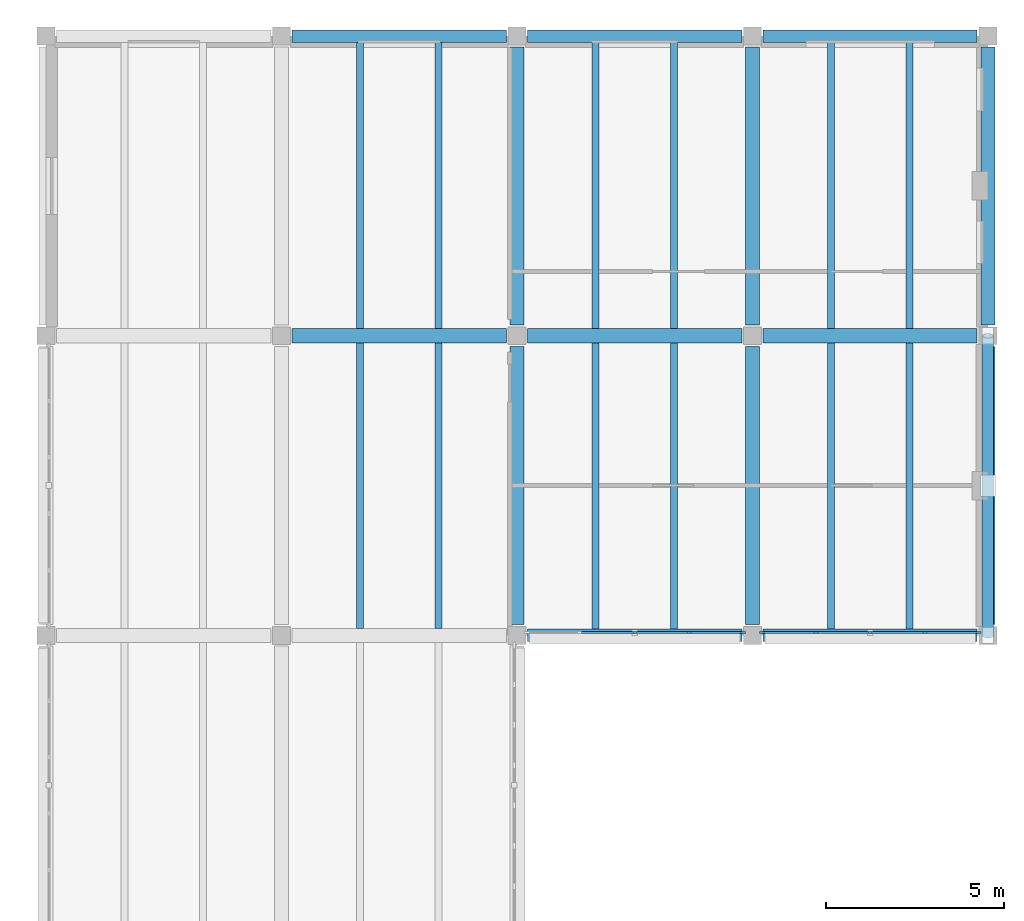
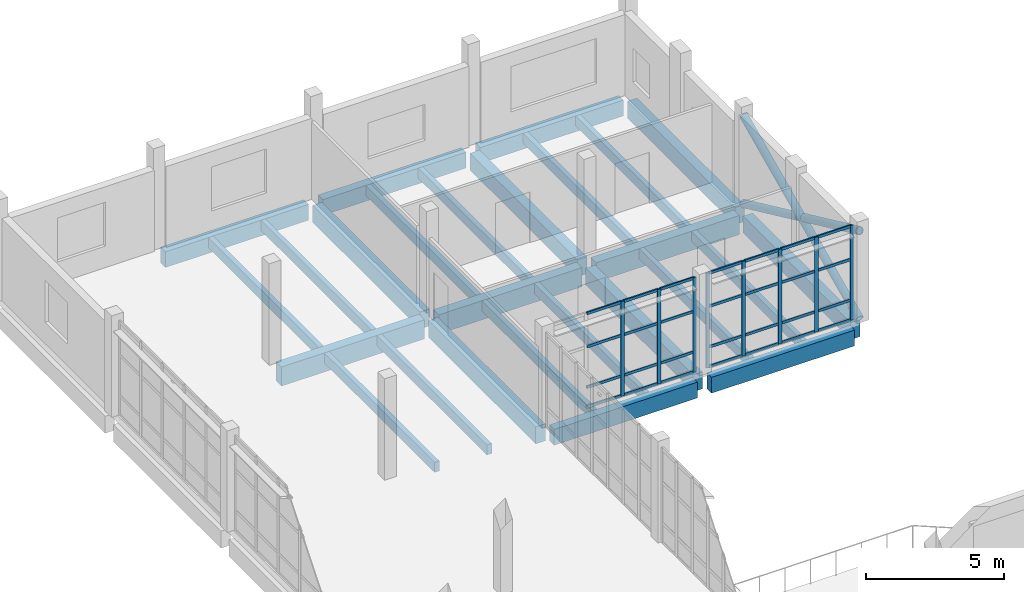
# One storey, part 34 of 83: 39 members, 26 beams, 2 elements without a shape of their own.
"""IFC4 building model written with IfcOpenShell, lengths in metres."""

import ifcopenshell
import ifcopenshell.guid

model = None  # the IFC model being written
_history = None  # IfcOwnerHistory: only IFC2X3 demands one
_inside = {}  # id of a spatial element -> (the spatial element, [elements in it])
_under = {}  # id of a project, library or spatial element -> (it, [spatial elements below it])
_declared = {}  # id of a project -> (the project, [libraries it declares])
_typed = {}  # id of a type object -> (the type object, [elements of that type])
_made_of = {}  # id of a material, layer set ... -> (it, [elements and type objects made of it])


def new_model(schema):
    """Start an empty IFC model of exactly this schema.

    Asked for "IFC4X3", IfcOpenShell would pick the latest addendum, in which some entities
    have other attributes; the version numbers below select the first issue.
    IFC2X3 requires an IfcOwnerHistory on every rooted entity: one is made here for all.
    """
    global model, _history
    if schema == "IFC4X3":
        model = ifcopenshell.file(schema_version=(4, 3, 0, 0))
    else:
        model = ifcopenshell.file(schema=schema)
    _inside.clear()
    _under.clear()
    _declared.clear()
    _typed.clear()
    _made_of.clear()
    _history = None
    if model.schema == "IFC2X3":
        org = make("IfcOrganization", Name="unknown")
        user = make(
            "IfcPersonAndOrganization",
            ThePerson=make("IfcPerson", FamilyName="unknown"),
            TheOrganization=org,
        )
        app = make(
            "IfcApplication",
            ApplicationDeveloper=org,
            Version="unknown",
            ApplicationFullName="unknown",
            ApplicationIdentifier="unknown",
        )
        _history = make(
            "IfcOwnerHistory",
            OwningUser=user,
            OwningApplication=app,
            ChangeAction="ADDED",
            CreationDate=0,
        )
    return model


def make(cls, **values):
    """One entity of the class cls with the attributes given. An attribute that is None is left unset."""
    return model.create_entity(
        cls, **{name: value for name, value in values.items() if value is not None}
    )


def rooted(cls, **values):
    """An entity with a GlobalId (a new one), such as an element, a storey or a relation."""
    return make(cls, GlobalId=ifcopenshell.guid.new(), OwnerHistory=_history, **values)


def si_unit(unit_type, name, prefix=None):
    """IfcSIUnit, for example si_unit("LENGTHUNIT", "METRE", prefix="MILLI")."""
    return make("IfcSIUnit", UnitType=unit_type, Prefix=prefix, Name=name)


def assignment(units):
    """IfcUnitAssignment: the units of a project."""
    return None if units is None else make("IfcUnitAssignment", Units=units)


def point(xyz):
    """IfcCartesianPoint."""
    return None if xyz is None else make("IfcCartesianPoint", Coordinates=xyz)


def direction(xyz):
    """IfcDirection."""
    return None if xyz is None else make("IfcDirection", DirectionRatios=xyz)


def frame(location, z_axis=None, x_axis=None):
    """IfcAxis2Placement3D, a coordinate frame: its origin and axes. An axis left out is left unset."""
    return make(
        "IfcAxis2Placement3D",
        Location=point(location),
        Axis=direction(z_axis),
        RefDirection=direction(x_axis),
    )


def frame_2d(location, x_axis=None):
    """IfcAxis2Placement2D, a coordinate frame in the plane: its origin and x axis."""
    return make(
        "IfcAxis2Placement2D", Location=point(location), RefDirection=direction(x_axis)
    )


def origin():
    """The frame at (0, 0, 0) with its axes left unset."""
    return frame((0.0, 0.0, 0.0))


def origin_2d():
    """The frame at (0, 0) in the plane with its x axis left unset."""
    return frame_2d((0.0, 0.0))


def place(relative_to, where):
    """IfcLocalPlacement: puts the frame where relative to a parent placement (None: the world)."""
    return make(
        "IfcLocalPlacement", PlacementRelTo=relative_to, RelativePlacement=where
    )


def context(
    kind, dimensions, precision=None, world=None, true_north=None, identifier=None
):
    """IfcGeometricRepresentationContext, for example the 3D "Model" context."""
    return make(
        "IfcGeometricRepresentationContext",
        ContextIdentifier=identifier,
        ContextType=kind,
        CoordinateSpaceDimension=dimensions,
        Precision=precision,
        WorldCoordinateSystem=world,
        TrueNorth=true_north,
    )


def subcontext(parent, identifier, kind, view, scale=None):
    """IfcGeometricRepresentationSubContext, for example "Body" below "Model"."""
    return make(
        "IfcGeometricRepresentationSubContext",
        ContextIdentifier=identifier,
        ContextType=kind,
        ParentContext=parent,
        TargetScale=scale,
        TargetView=view,
    )


def project(units=None, contexts=None):
    """IfcProject with its units and contexts."""
    return rooted(
        "IfcProject",
        Name="project",
        RepresentationContexts=contexts,
        UnitsInContext=assignment(units),
    )


def spatial(cls, under=None, at=None, **own):
    """A site, building, storey or space (cls), placed at a placement, below another one or the project."""
    s = rooted(cls, ObjectPlacement=at, **own)
    if under is not None:
        _under.setdefault(under.id(), (under, []))[1].append(s)
    return s


def profile(cls, at=None, kind="AREA", **sizes):
    """A parametric profile (cls). Its sizes go by their IFC names, for example OverallWidth=200.0."""
    return make(cls, ProfileType=kind, Position=at, **sizes)


def rectangle(**sizes):
    """IfcRectangleProfileDef."""
    return profile("IfcRectangleProfileDef", **sizes)


def hollow_circle(**sizes):
    """IfcCircleHollowProfileDef."""
    return profile("IfcCircleHollowProfileDef", **sizes)


def extrude(swept, where, along, depth):
    """IfcExtrudedAreaSolid: the profile swept, set in the frame where, extruded along a direction by depth."""
    return make(
        "IfcExtrudedAreaSolid",
        SweptArea=swept,
        Position=where,
        ExtrudedDirection=direction(along),
        Depth=depth,
    )


def shape(context_of_items, identifier, shape_type, items):
    """IfcShapeRepresentation: the items that make up one representation, for example the "Body"."""
    return make(
        "IfcShapeRepresentation",
        ContextOfItems=context_of_items,
        RepresentationIdentifier=identifier,
        RepresentationType=shape_type,
        Items=items,
    )


def material(Name=None, Category=None):
    """IfcMaterial."""
    return make("IfcMaterial", Name=Name, Category=Category)


def material_profile(
    of_material, cross_section, Name=None, Category=None, Priority=None
):
    """IfcMaterialProfile: a cross section and its material."""
    return make(
        "IfcMaterialProfile",
        Name=Name,
        Material=of_material,
        Profile=cross_section,
        Priority=Priority,
        Category=Category,
    )


def profile_set(profiles, Name=None, composite=None):
    """IfcMaterialProfileSet."""
    return make(
        "IfcMaterialProfileSet",
        Name=Name,
        MaterialProfiles=profiles,
        CompositeProfile=composite,
    )


def made_of(thing, what):
    """Note that an element or type object is made of a material, layer set ...; save() writes the relation."""
    if what is not None:
        _made_of.setdefault(what.id(), (what, []))[1].append(thing)
    return thing


def type_object(cls, material=None, **own):
    """A type object (cls), such as IfcWallType, which elements share."""
    return made_of(rooted(cls, **own), material)


def element(
    cls,
    number,
    at=None,
    inside=None,
    cuts=None,
    type_object=None,
    material=None,
    context=None,
    identifier="Body",
    shape_type=None,
    held_by="IfcProductDefinitionShape",
    body=None,
    shapes=None,
    **own,
):
    """One element of the class cls, such as IfcWall. Its Tag is "e" and its number.

    at: its placement. inside: the storey or other place that contains it. cuts: it is an
    opening in that element (IfcRelVoidsElement). A single representation is given by context,
    identifier, shape_type and body (its items); several are given by shapes. held_by: the class
    of the entity that holds the representations. save() writes the other relations.
    """
    e = rooted(cls, Tag="e%d" % number, ObjectPlacement=at, **own)
    if body is not None:
        shapes = [shape(context, identifier, shape_type, body)]
    if shapes is not None:
        e.Representation = make(held_by, Representations=shapes)
    if inside is not None:
        _inside.setdefault(inside.id(), (inside, []))[1].append(e)
    if cuts is not None:
        rooted(
            "IfcRelVoidsElement", RelatingBuildingElement=cuts, RelatedOpeningElement=e
        )
    if type_object is not None:
        _typed.setdefault(type_object.id(), (type_object, []))[1].append(e)
    return made_of(e, material)


def aggregate(whole, parts):
    """IfcRelAggregates: a whole, such as a stair, and the parts it consists of."""
    return rooted("IfcRelAggregates", RelatingObject=whole, RelatedObjects=parts)


def save(model, path):
    """Write the relations noted so far, then the file.

    IfcRelAggregates (storeys below a building ...), IfcRelContainedInSpatialStructure (elements
    in a storey), IfcRelDefinesByType, IfcRelAssociatesMaterial and IfcRelDeclares: one each for
    every whole, place, type object, material and project.
    """
    for whole, parts in _under.values():
        aggregate(whole, parts)
    for where, things in _inside.values():
        rooted(
            "IfcRelContainedInSpatialStructure",
            RelatedElements=things,
            RelatingStructure=where,
        )
    for kind, things in _typed.values():
        rooted("IfcRelDefinesByType", RelatedObjects=things, RelatingType=kind)
    for what, things in _made_of.values():
        rooted("IfcRelAssociatesMaterial", RelatedObjects=things, RelatingMaterial=what)
    for by, libraries in _declared.values():
        rooted("IfcRelDeclares", RelatingContext=by, RelatedDefinitions=libraries)
    model.write(path)


model = new_model("IFC4")

# Units and contexts
model_context = context("Model", 3, precision=1e-05, world=origin(), true_north=direction((0.0, 1.0)))
body_context = subcontext(model_context, "Body", "Model", "MODEL_VIEW")
ifc_project = project(units=[si_unit("LENGTHUNIT", "METRE"), si_unit("AREAUNIT", "SQUARE_METRE"), si_unit("VOLUMEUNIT", "CUBIC_METRE"), si_unit("PLANEANGLEUNIT", "RADIAN"), si_unit("MASSUNIT", "GRAM", prefix="KILO")], contexts=[model_context])

# Site, building, storey
site_placement = place(None, origin())
site = spatial("IfcSite", under=ifc_project, at=site_placement, CompositionType="ELEMENT")
building_placement = place(site_placement, origin())
building = spatial("IfcBuilding", under=site, at=building_placement, Name="Qaldarim Faculty of Natural and Applied Sciences", CompositionType="ELEMENT")
storey_placement = place(building_placement, frame((0.0, 0.0, 5.39990234375)))
storey = spatial("IfcBuildingStorey", under=building, at=storey_placement, Name="L01", CompositionType="ELEMENT", Elevation=5.39990234375)

# Beams
ifc_material_1 = material(Name="Concrete C50/60", Category="concrete")
ifc_material_profile_1 = material_profile(ifc_material_1, rectangle(XDim=0.39990234375, YDim=0.75, at=origin_2d()), Name="RC-B400x750")
ifc_profile_set_1 = profile_set([ifc_material_profile_1], Name="Concrete C50/60")
beam_type_1 = type_object("IfcBeamType", Name="LabGirder-RC400x750", PredefinedType="BEAM", material=ifc_profile_set_1)
beam_1_placement = place(storey_placement, frame((165.0, 101.10009765625, -0.6748046875), z_axis=(0.0, 1.0, 0.0), x_axis=(-1.0, 0.0, 0.0)))
element("IfcBeam", 1, at=beam_1_placement, inside=storey, type_object=beam_type_1, Name="Beam RC-B400x750 L00 X26/Y13-Y14", PredefinedType="BEAM", context=body_context, shape_type="SweptSolid", body=[
    extrude(rectangle(XDim=0.39990234375, YDim=0.75, at=origin_2d()), origin(), (0.0, 0.0, 1.0), 7.7998046875),
])
beam_2_placement = place(storey_placement, frame((165.0, 109.5, -0.6748046875), z_axis=(0.0, 1.0, 0.0), x_axis=(-1.0, 0.0, 0.0)))
element("IfcBeam", 2, at=beam_2_placement, inside=storey, type_object=beam_type_1, Name="Beam RC-B400x750 L00 X26/Y14-Y15", PredefinedType="BEAM", context=body_context, shape_type="SweptSolid", body=[
    extrude(rectangle(XDim=0.39990234375, YDim=0.75, at=origin_2d()), origin(), (0.0, 0.0, 1.0), 7.800048828125),
])
beam_3_placement = place(storey_placement, frame((171.60009765625, 101.10009765625, -0.6748046875), z_axis=(0.0, 1.0, 0.0), x_axis=(-1.0, 0.0, 0.0)))
element("IfcBeam", 3, at=beam_3_placement, inside=storey, type_object=beam_type_1, Name="Beam RC-B400x750 L00 X27/Y13-Y14", PredefinedType="BEAM", context=body_context, shape_type="SweptSolid", body=[
    extrude(rectangle(XDim=0.39990234375, YDim=0.75, at=origin_2d()), origin(), (0.0, 0.0, 1.0), 7.7998046875),
])
beam_4_placement = place(storey_placement, frame((171.60009765625, 109.5, -0.6748046875), z_axis=(0.0, 1.0, 0.0), x_axis=(-1.0, 0.0, 0.0)))
element("IfcBeam", 4, at=beam_4_placement, inside=storey, type_object=beam_type_1, Name="Beam RC-B400x750 L00 X27/Y14-Y15", PredefinedType="BEAM", context=body_context, shape_type="SweptSolid", body=[
    extrude(rectangle(XDim=0.39990234375, YDim=0.75, at=origin_2d()), origin(), (0.0, 0.0, 1.0), 7.800048828125),
])
beam_5_placement = place(storey_placement, frame((178.199951171875, 101.10009765625, -0.6748046875), z_axis=(0.0, 1.0, 0.0), x_axis=(-1.0, 0.0, 0.0)))
element("IfcBeam", 5, at=beam_5_placement, inside=storey, type_object=beam_type_1, Name="Beam RC-B400x750 L00 X28/Y13-Y14", PredefinedType="BEAM", context=body_context, shape_type="SweptSolid", body=[
    extrude(rectangle(XDim=0.39990234375, YDim=0.75, at=origin_2d()), origin(), (0.0, 0.0, 1.0), 7.7998046875),
])
beam_6_placement = place(storey_placement, frame((178.199951171875, 109.5, -0.6748046875), z_axis=(0.0, 1.0, 0.0), x_axis=(-1.0, 0.0, 0.0)))
element("IfcBeam", 6, at=beam_6_placement, inside=storey, type_object=beam_type_1, Name="Beam RC-B400x750 L00 X28/Y14-Y15", PredefinedType="BEAM", context=body_context, shape_type="SweptSolid", body=[
    extrude(rectangle(XDim=0.39990234375, YDim=0.75, at=origin_2d()), origin(), (0.0, 0.0, 1.0), 7.800048828125),
])
ifc_material_2 = material(Name="Concrete C40/50", Category="concrete")
ifc_material_profile_2 = material_profile(ifc_material_2, rectangle(XDim=0.199951171875, YDim=0.449951171875, at=origin_2d()), Name="RC-J200x450")
ifc_profile_set_2 = profile_set([ifc_material_profile_2], Name="Concrete C40/50")
beam_type_2 = type_object("IfcBeamType", Name="LabJoist-RC200x450", PredefinedType="JOIST", material=ifc_profile_set_2)
for number, where, z_axis, x_axis, name in (
    (7, (160.60009765625, 101.0, -0.52490234375), (0.0, 1.0, 0.0), (-1.0, 0.0, 0.0), "Laboratory joist L00 bay X25Y13-1"),
    (8, (162.800048828125, 101.0, -0.52490234375), (0.0, 1.0, 0.0), (-1.0, 0.0, 0.0), "Laboratory joist L00 bay X25Y13-2"),
):
    element("IfcBeam", number, at=place(storey_placement, frame(where, z_axis=z_axis, x_axis=x_axis)), inside=storey, type_object=beam_type_2, Name=name, PredefinedType="JOIST", context=body_context, shape_type="SweptSolid", body=[
        extrude(rectangle(XDim=0.199951171875, YDim=0.449951171875, at=origin_2d()), origin(), (0.0, 0.0, 1.0), 8.0),
    ])
for number, where, z_axis, x_axis, name in (
    (9, (160.60009765625, 109.39990234375, -0.52490234375), (0.0, 1.0, 0.0), (-1.0, 0.0, 0.0), "Laboratory joist L00 bay X25Y14-1"),
    (10, (162.800048828125, 109.39990234375, -0.52490234375), (0.0, 1.0, 0.0), (-1.0, 0.0, 0.0), "Laboratory joist L00 bay X25Y14-2"),
):
    element("IfcBeam", number, at=place(storey_placement, frame(where, z_axis=z_axis, x_axis=x_axis)), inside=storey, type_object=beam_type_2, Name=name, PredefinedType="JOIST", context=body_context, shape_type="SweptSolid", body=[
        extrude(rectangle(XDim=0.199951171875, YDim=0.449951171875, at=origin_2d()), origin(), (0.0, 0.0, 1.0), 8.025146484375),
    ])
for number, where, z_axis, x_axis, name in (
    (11, (167.199951171875, 100.97509765625, -0.52490234375), (0.0, 1.0, 0.0), (-1.0, 0.0, 0.0), "Laboratory joist L00 bay X26Y13-1"),
    (12, (169.39990234375, 100.97509765625, -0.52490234375), (0.0, 1.0, 0.0), (-1.0, 0.0, 0.0), "Laboratory joist L00 bay X26Y13-2"),
):
    element("IfcBeam", number, at=place(storey_placement, frame(where, z_axis=z_axis, x_axis=x_axis)), inside=storey, type_object=beam_type_2, Name=name, PredefinedType="JOIST", context=body_context, shape_type="SweptSolid", body=[
        extrude(rectangle(XDim=0.199951171875, YDim=0.449951171875, at=origin_2d()), origin(), (0.0, 0.0, 1.0), 8.02490234375),
    ])
for number, where, z_axis, x_axis, name in (
    (13, (167.199951171875, 109.39990234375, -0.52490234375), (0.0, 1.0, 0.0), (-1.0, 0.0, 0.0), "Laboratory joist L00 bay X26Y14-1"),
    (14, (169.39990234375, 109.39990234375, -0.52490234375), (0.0, 1.0, 0.0), (-1.0, 0.0, 0.0), "Laboratory joist L00 bay X26Y14-2"),
):
    element("IfcBeam", number, at=place(storey_placement, frame(where, z_axis=z_axis, x_axis=x_axis)), inside=storey, type_object=beam_type_2, Name=name, PredefinedType="JOIST", context=body_context, shape_type="SweptSolid", body=[
        extrude(rectangle(XDim=0.199951171875, YDim=0.449951171875, at=origin_2d()), origin(), (0.0, 0.0, 1.0), 8.025146484375),
    ])
for number, where, z_axis, x_axis, name in (
    (15, (173.800048828125, 100.97509765625, -0.52490234375), (0.0, 1.0, 0.0), (-1.0, 0.0, 0.0), "Laboratory joist L00 bay X27Y13-1"),
    (16, (176.0, 100.97509765625, -0.52490234375), (0.0, 1.0, 0.0), (-1.0, 0.0, 0.0), "Laboratory joist L00 bay X27Y13-2"),
):
    element("IfcBeam", number, at=place(storey_placement, frame(where, z_axis=z_axis, x_axis=x_axis)), inside=storey, type_object=beam_type_2, Name=name, PredefinedType="JOIST", context=body_context, shape_type="SweptSolid", body=[
        extrude(rectangle(XDim=0.199951171875, YDim=0.449951171875, at=origin_2d()), origin(), (0.0, 0.0, 1.0), 8.02490234375),
    ])
for number, where, z_axis, x_axis, name in (
    (17, (173.800048828125, 109.39990234375, -0.52490234375), (0.0, 1.0, 0.0), (-1.0, 0.0, 0.0), "Laboratory joist L00 bay X27Y14-1"),
    (18, (176.0, 109.39990234375, -0.52490234375), (0.0, 1.0, 0.0), (-1.0, 0.0, 0.0), "Laboratory joist L00 bay X27Y14-2"),
):
    element("IfcBeam", number, at=place(storey_placement, frame(where, z_axis=z_axis, x_axis=x_axis)), inside=storey, type_object=beam_type_2, Name=name, PredefinedType="JOIST", context=body_context, shape_type="SweptSolid", body=[
        extrude(rectangle(XDim=0.199951171875, YDim=0.449951171875, at=origin_2d()), origin(), (0.0, 0.0, 1.0), 8.025146484375),
    ])

# Members
ifc_material_3 = material(Name="Structural steel S355", Category="steel")
ifc_material_profile_3 = material_profile(ifc_material_3, hollow_circle(Radius=0.161865234375, WallThickness=0.02001953125, at=origin_2d()), Name="CHS 323.9x20.0")
ifc_profile_set_3 = profile_set([ifc_material_profile_3], Name="Structural steel S355")
member_type_1 = type_object("IfcMemberType", Name="LowerWingBrace-CHS323-9x20", PredefinedType="BRACE", material=ifc_profile_set_3)
member_1_placement = place(storey_placement, frame((178.199951171875, 100.800048828125, 0.0), z_axis=(0.0, 0.907001056309, 0.42112834606), x_axis=(-1.0, 0.0, 0.0)))
element("IfcMember", 19, at=member_1_placement, inside=storey, type_object=member_type_1, Name="Commons east diagrid L01 primary brace L", PredefinedType="BRACE", context=body_context, shape_type="SweptSolid", body=[
    extrude(hollow_circle(Radius=0.161865234375, WallThickness=0.02001953125, at=origin_2d()), origin(), (0.0, 0.0, 1.0), 9.26123046875),
])
for number, where, z_axis, x_axis, name in (
    (20, (178.199951171875, 109.199951171875, 0.0), (0.0, -0.907196197698, 0.420707807014), (1.0, 0.0, 0.0), "Commons east diagrid L01 split secondary lower brace R1"),
    (21, (178.199951171875, 104.800048828125, 2.045166015625), (0.0, -0.907196197698, 0.420707807014), (1.0, 0.0, 0.0), "Commons east diagrid L01 split secondary upper brace R2"),
):
    element("IfcMember", number, at=place(storey_placement, frame(where, z_axis=z_axis, x_axis=x_axis)), inside=storey, type_object=member_type_1, Name=name, PredefinedType="BRACE", context=body_context, shape_type="SweptSolid", body=[
        extrude(hollow_circle(Radius=0.161865234375, WallThickness=0.02001953125, at=origin_2d()), origin(), (0.0, 0.0, 1.0), 4.4091796875),
    ])

# Curtain wall, members
ifc_material_4 = material(Name="Anodised aluminium AW-6063", Category="aluminium")
curtain_wall_type = type_object("IfcCurtainWallType", Name="CurtainWallSystem-M1600", PredefinedType="USERDEFINED", material=ifc_material_4)
curtain_wall_1_placement = place(storey_placement, origin())
curtain_wall_1 = element("IfcCurtainWall", 22, at=curtain_wall_1_placement, inside=storey, type_object=curtain_wall_type, Name="Curtain wall CW-L01-S-X26Y13", ObjectType="UNITISED FACADE", PredefinedType="USERDEFINED")
ifc_material_profile_4 = material_profile(ifc_material_4, rectangle(XDim=0.06005859375, YDim=0.14990234375, at=origin_2d()), Name="ALU-M60x150")
ifc_profile_set_4 = profile_set([ifc_material_profile_4], Name="Anodised aluminium AW-6063")
member_type_2 = type_object("IfcMemberType", Name="Mullion-ALU60x150", PredefinedType="MULLION", material=ifc_profile_set_4)
member_2_placement = place(storey_placement, frame((168.300048828125, 100.8798828125, 0.0), z_axis=(0.0, 0.0, 1.0), x_axis=(0.0, 1.0, 0.0)))
member_2 = element("IfcMember", 23, at=member_2_placement, type_object=member_type_2, Name="Mullion 3 of CW-L01-S-X26Y13", PredefinedType="MULLION", context=body_context, shape_type="SweptSolid", body=[
    extrude(rectangle(XDim=0.06005859375, YDim=0.14990234375, at=origin_2d()), origin(), (0.0, 0.0, 1.0), 4.2001953125),
])
member_3_placement = place(storey_placement, frame((169.827392578125, 100.8798828125, 0.0), z_axis=(0.0, 0.0, 1.0), x_axis=(0.0, 1.0, 0.0)))
member_3 = element("IfcMember", 24, at=member_3_placement, type_object=member_type_2, Name="Mullion 4 of CW-L01-S-X26Y13", PredefinedType="MULLION", context=body_context, shape_type="SweptSolid", body=[
    extrude(rectangle(XDim=0.06005859375, YDim=0.14990234375, at=origin_2d()), origin(), (0.0, 0.0, 1.0), 4.2001953125),
])
member_4_placement = place(storey_placement, frame((171.324951171875, 100.8798828125, 0.0), z_axis=(0.0, 0.0, 1.0), x_axis=(0.0, 1.0, 0.0)))
member_4 = element("IfcMember", 25, at=member_4_placement, type_object=member_type_2, Name="Mullion 5 of CW-L01-S-X26Y13", PredefinedType="MULLION", context=body_context, shape_type="SweptSolid", body=[
    extrude(rectangle(XDim=0.06005859375, YDim=0.14990234375, at=origin_2d()), origin(), (0.0, 0.0, 1.0), 4.2001953125),
])

curtain_wall_2_placement = place(storey_placement, origin())
curtain_wall_2 = element("IfcCurtainWall", 26, at=curtain_wall_2_placement, inside=storey, type_object=curtain_wall_type, Name="Curtain wall CW-L01-S-X27Y13", ObjectType="UNITISED FACADE", PredefinedType="USERDEFINED")
member_5_placement = place(storey_placement, frame((171.875, 100.8798828125, 0.0), z_axis=(0.0, 0.0, 1.0), x_axis=(0.0, 1.0, 0.0)))
member_5 = element("IfcMember", 27, at=member_5_placement, type_object=member_type_2, Name="Mullion 1 of CW-L01-S-X27Y13", PredefinedType="MULLION", context=body_context, shape_type="SweptSolid", body=[
    extrude(rectangle(XDim=0.06005859375, YDim=0.14990234375, at=origin_2d()), origin(), (0.0, 0.0, 1.0), 4.2001953125),
])
member_6_placement = place(storey_placement, frame((173.37255859375, 100.8798828125, 0.0), z_axis=(0.0, 0.0, 1.0), x_axis=(0.0, 1.0, 0.0)))
member_6 = element("IfcMember", 28, at=member_6_placement, type_object=member_type_2, Name="Mullion 2 of CW-L01-S-X27Y13", PredefinedType="MULLION", context=body_context, shape_type="SweptSolid", body=[
    extrude(rectangle(XDim=0.06005859375, YDim=0.14990234375, at=origin_2d()), origin(), (0.0, 0.0, 1.0), 4.2001953125),
])
member_7_placement = place(storey_placement, frame((174.89990234375, 100.8798828125, 0.0), z_axis=(0.0, 0.0, 1.0), x_axis=(0.0, 1.0, 0.0)))
member_7 = element("IfcMember", 29, at=member_7_placement, type_object=member_type_2, Name="Mullion 3 of CW-L01-S-X27Y13", PredefinedType="MULLION", context=body_context, shape_type="SweptSolid", body=[
    extrude(rectangle(XDim=0.06005859375, YDim=0.14990234375, at=origin_2d()), origin(), (0.0, 0.0, 1.0), 4.2001953125),
])
member_8_placement = place(storey_placement, frame((176.427490234375, 100.8798828125, 0.0), z_axis=(0.0, 0.0, 1.0), x_axis=(0.0, 1.0, 0.0)))
member_8 = element("IfcMember", 30, at=member_8_placement, type_object=member_type_2, Name="Mullion 4 of CW-L01-S-X27Y13", PredefinedType="MULLION", context=body_context, shape_type="SweptSolid", body=[
    extrude(rectangle(XDim=0.06005859375, YDim=0.14990234375, at=origin_2d()), origin(), (0.0, 0.0, 1.0), 4.2001953125),
])
member_9_placement = place(storey_placement, frame((177.925048828125, 100.8798828125, 0.0), z_axis=(0.0, 0.0, 1.0), x_axis=(0.0, 1.0, 0.0)))
member_9 = element("IfcMember", 31, at=member_9_placement, type_object=member_type_2, Name="Mullion 5 of CW-L01-S-X27Y13", PredefinedType="MULLION", context=body_context, shape_type="SweptSolid", body=[
    extrude(rectangle(XDim=0.06005859375, YDim=0.14990234375, at=origin_2d()), origin(), (0.0, 0.0, 1.0), 4.2001953125),
])

# Beams
ifc_material_profile_5 = material_profile(ifc_material_1, rectangle(XDim=0.39990234375, YDim=0.85009765625, at=origin_2d()), Name="RC-B400x850")
ifc_profile_set_5 = profile_set([ifc_material_profile_5], Name="Concrete C50/60")
beam_type_3 = type_object("IfcBeamType", Name="PodiumGirder-RC400x850", PredefinedType="BEAM", material=ifc_profile_set_5)
for number, where, z_axis, x_axis, name in (
    (32, (158.699951171875, 109.199951171875, -0.724853515625), (1.0, 0.0, 0.0), (0.0, 1.0, 0.0), "Beam RC-B400x850 L00 X25-X26/Y14"),
    (33, (165.300048828125, 109.199951171875, -0.724853515625), (1.0, 0.0, 0.0), (0.0, 1.0, 0.0), "Beam RC-B400x850 L00 X26-X27/Y14"),
    (34, (171.89990234375, 109.199951171875, -0.724853515625), (1.0, 0.0, 0.0), (0.0, 1.0, 0.0), "Beam RC-B400x850 L00 X27-X28/Y14"),
):
    element("IfcBeam", number, at=place(storey_placement, frame(where, z_axis=z_axis, x_axis=x_axis)), inside=storey, type_object=beam_type_3, Name=name, PredefinedType="BEAM", context=body_context, shape_type="SweptSolid", body=[
        extrude(rectangle(XDim=0.39990234375, YDim=0.85009765625, at=origin_2d()), origin(), (0.0, 0.0, 1.0), 6.0),
    ])
ifc_material_profile_6 = material_profile(ifc_material_2, rectangle(XDim=0.35009765625, YDim=0.699951171875, at=origin_2d()), Name="RC-B350x700")
ifc_profile_set_6 = profile_set([ifc_material_profile_6], Name="Concrete C40/50")
beam_type_4 = type_object("IfcBeamType", Name="PrimaryGirder-RC350x700", PredefinedType="BEAM", material=ifc_profile_set_6)
for number, where, z_axis, x_axis, name in (
    (35, (165.300048828125, 100.800048828125, -0.64990234375), (1.0, 0.0, 0.0), (0.0, 1.0, 0.0), "Beam RC-B350x700 L00 X26-X27/Y13"),
    (36, (171.89990234375, 100.800048828125, -0.64990234375), (1.0, 0.0, 0.0), (0.0, 1.0, 0.0), "Beam RC-B350x700 L00 X27-X28/Y13"),
    (37, (158.699951171875, 117.60009765625, -0.64990234375), (1.0, 0.0, 0.0), (0.0, 1.0, 0.0), "Beam RC-B350x700 L00 X25-X26/Y15"),
    (38, (165.300048828125, 117.60009765625, -0.64990234375), (1.0, 0.0, 0.0), (0.0, 1.0, 0.0), "Beam RC-B350x700 L00 X26-X27/Y15"),
    (39, (171.89990234375, 117.60009765625, -0.64990234375), (1.0, 0.0, 0.0), (0.0, 1.0, 0.0), "Beam RC-B350x700 L00 X27-X28/Y15"),
):
    element("IfcBeam", number, at=place(storey_placement, frame(where, z_axis=z_axis, x_axis=x_axis)), inside=storey, type_object=beam_type_4, Name=name, PredefinedType="BEAM", context=body_context, shape_type="SweptSolid", body=[
        extrude(rectangle(XDim=0.35009765625, YDim=0.699951171875, at=origin_2d()), origin(), (0.0, 0.0, 1.0), 6.0),
    ])

# Member
ifc_material_profile_7 = material_profile(ifc_material_4, rectangle(XDim=0.06005859375, YDim=0.1201171875, at=origin_2d()), Name="ALU-T60x120")
ifc_profile_set_7 = profile_set([ifc_material_profile_7], Name="Anodised aluminium AW-6063")
member_type_3 = type_object("IfcMemberType", Name="Transom-ALU60x120", PredefinedType="USERDEFINED", material=ifc_profile_set_7)
member_10_placement = place(storey_placement, frame((166.802490234375, 100.8798828125, 0.030029296875), z_axis=(1.0, 0.0, 0.0), x_axis=(0.0, 1.0, 0.0)))
member_10 = element("IfcMember", 40, at=member_10_placement, type_object=member_type_3, Name="Transom 2-1 of CW-L01-S-X26Y13", ObjectType="TRANSOM", PredefinedType="USERDEFINED", context=body_context, shape_type="SweptSolid", body=[
    extrude(rectangle(XDim=0.06005859375, YDim=0.1201171875, at=origin_2d()), origin(), (0.0, 0.0, 1.0), 1.467529296875),
])

member_11_placement = place(storey_placement, frame((166.802490234375, 100.8798828125, 0.900146484375), z_axis=(1.0, 0.0, 0.0), x_axis=(0.0, 1.0, 0.0)))
member_11 = element("IfcMember", 41, at=member_11_placement, type_object=member_type_3, Name="Transom 2-2 of CW-L01-S-X26Y13", ObjectType="TRANSOM", PredefinedType="USERDEFINED", context=body_context, shape_type="SweptSolid", body=[
    extrude(rectangle(XDim=0.06005859375, YDim=0.1201171875, at=origin_2d()), origin(), (0.0, 0.0, 1.0), 1.467529296875),
])

member_12_placement = place(storey_placement, frame((166.802490234375, 100.8798828125, 2.7001953125), z_axis=(1.0, 0.0, 0.0), x_axis=(0.0, 1.0, 0.0)))
member_12 = element("IfcMember", 42, at=member_12_placement, type_object=member_type_3, Name="Transom 2-3 of CW-L01-S-X26Y13", ObjectType="TRANSOM", PredefinedType="USERDEFINED", context=body_context, shape_type="SweptSolid", body=[
    extrude(rectangle(XDim=0.06005859375, YDim=0.1201171875, at=origin_2d()), origin(), (0.0, 0.0, 1.0), 1.467529296875),
])

member_13_placement = place(storey_placement, frame((166.802490234375, 100.8798828125, 4.170166015625), z_axis=(1.0, 0.0, 0.0), x_axis=(0.0, 1.0, 0.0)))
member_13 = element("IfcMember", 43, at=member_13_placement, type_object=member_type_3, Name="Transom 2-4 of CW-L01-S-X26Y13", ObjectType="TRANSOM", PredefinedType="USERDEFINED", context=body_context, shape_type="SweptSolid", body=[
    extrude(rectangle(XDim=0.06005859375, YDim=0.1201171875, at=origin_2d()), origin(), (0.0, 0.0, 1.0), 1.467529296875),
])

member_14_placement = place(storey_placement, frame((168.330078125, 100.8798828125, 0.030029296875), z_axis=(1.0, 0.0, 0.0), x_axis=(0.0, 1.0, 0.0)))
member_14 = element("IfcMember", 44, at=member_14_placement, type_object=member_type_3, Name="Transom 3-1 of CW-L01-S-X26Y13", ObjectType="TRANSOM", PredefinedType="USERDEFINED", context=body_context, shape_type="SweptSolid", body=[
    extrude(rectangle(XDim=0.06005859375, YDim=0.1201171875, at=origin_2d()), origin(), (0.0, 0.0, 1.0), 1.467529296875),
])

member_15_placement = place(storey_placement, frame((168.330078125, 100.8798828125, 0.900146484375), z_axis=(1.0, 0.0, 0.0), x_axis=(0.0, 1.0, 0.0)))
member_15 = element("IfcMember", 45, at=member_15_placement, type_object=member_type_3, Name="Transom 3-2 of CW-L01-S-X26Y13", ObjectType="TRANSOM", PredefinedType="USERDEFINED", context=body_context, shape_type="SweptSolid", body=[
    extrude(rectangle(XDim=0.06005859375, YDim=0.1201171875, at=origin_2d()), origin(), (0.0, 0.0, 1.0), 1.467529296875),
])

member_16_placement = place(storey_placement, frame((168.330078125, 100.8798828125, 2.7001953125), z_axis=(1.0, 0.0, 0.0), x_axis=(0.0, 1.0, 0.0)))
member_16 = element("IfcMember", 46, at=member_16_placement, type_object=member_type_3, Name="Transom 3-3 of CW-L01-S-X26Y13", ObjectType="TRANSOM", PredefinedType="USERDEFINED", context=body_context, shape_type="SweptSolid", body=[
    extrude(rectangle(XDim=0.06005859375, YDim=0.1201171875, at=origin_2d()), origin(), (0.0, 0.0, 1.0), 1.467529296875),
])

member_17_placement = place(storey_placement, frame((168.330078125, 100.8798828125, 4.170166015625), z_axis=(1.0, 0.0, 0.0), x_axis=(0.0, 1.0, 0.0)))
member_17 = element("IfcMember", 47, at=member_17_placement, type_object=member_type_3, Name="Transom 3-4 of CW-L01-S-X26Y13", ObjectType="TRANSOM", PredefinedType="USERDEFINED", context=body_context, shape_type="SweptSolid", body=[
    extrude(rectangle(XDim=0.06005859375, YDim=0.1201171875, at=origin_2d()), origin(), (0.0, 0.0, 1.0), 1.467529296875),
])

member_18_placement = place(storey_placement, frame((169.857421875, 100.8798828125, 0.030029296875), z_axis=(1.0, 0.0, 0.0), x_axis=(0.0, 1.0, 0.0)))
member_18 = element("IfcMember", 48, at=member_18_placement, type_object=member_type_3, Name="Transom 4-1 of CW-L01-S-X26Y13", ObjectType="TRANSOM", PredefinedType="USERDEFINED", context=body_context, shape_type="SweptSolid", body=[
    extrude(rectangle(XDim=0.06005859375, YDim=0.1201171875, at=origin_2d()), origin(), (0.0, 0.0, 1.0), 1.4375),
])

member_19_placement = place(storey_placement, frame((169.857421875, 100.8798828125, 0.900146484375), z_axis=(1.0, 0.0, 0.0), x_axis=(0.0, 1.0, 0.0)))
member_19 = element("IfcMember", 49, at=member_19_placement, type_object=member_type_3, Name="Transom 4-2 of CW-L01-S-X26Y13", ObjectType="TRANSOM", PredefinedType="USERDEFINED", context=body_context, shape_type="SweptSolid", body=[
    extrude(rectangle(XDim=0.06005859375, YDim=0.1201171875, at=origin_2d()), origin(), (0.0, 0.0, 1.0), 1.4375),
])

member_20_placement = place(storey_placement, frame((169.857421875, 100.8798828125, 2.7001953125), z_axis=(1.0, 0.0, 0.0), x_axis=(0.0, 1.0, 0.0)))
member_20 = element("IfcMember", 50, at=member_20_placement, type_object=member_type_3, Name="Transom 4-3 of CW-L01-S-X26Y13", ObjectType="TRANSOM", PredefinedType="USERDEFINED", context=body_context, shape_type="SweptSolid", body=[
    extrude(rectangle(XDim=0.06005859375, YDim=0.1201171875, at=origin_2d()), origin(), (0.0, 0.0, 1.0), 1.4375),
])

member_21_placement = place(storey_placement, frame((169.857421875, 100.8798828125, 4.170166015625), z_axis=(1.0, 0.0, 0.0), x_axis=(0.0, 1.0, 0.0)))
member_21 = element("IfcMember", 51, at=member_21_placement, type_object=member_type_3, Name="Transom 4-4 of CW-L01-S-X26Y13", ObjectType="TRANSOM", PredefinedType="USERDEFINED", context=body_context, shape_type="SweptSolid", body=[
    extrude(rectangle(XDim=0.06005859375, YDim=0.1201171875, at=origin_2d()), origin(), (0.0, 0.0, 1.0), 1.4375),
])

aggregate(curtain_wall_1, [member_2, member_3, member_4, member_10, member_11, member_12, member_13, member_14, member_15, member_16, member_17, member_18, member_19, member_20, member_21])

member_22_placement = place(storey_placement, frame((171.905029296875, 100.8798828125, 0.030029296875), z_axis=(1.0, 0.0, 0.0), x_axis=(0.0, 1.0, 0.0)))
member_22 = element("IfcMember", 52, at=member_22_placement, type_object=member_type_3, Name="Transom 1-1 of CW-L01-S-X27Y13", ObjectType="TRANSOM", PredefinedType="USERDEFINED", context=body_context, shape_type="SweptSolid", body=[
    extrude(rectangle(XDim=0.06005859375, YDim=0.1201171875, at=origin_2d()), origin(), (0.0, 0.0, 1.0), 1.4375),
])

member_23_placement = place(storey_placement, frame((171.905029296875, 100.8798828125, 0.900146484375), z_axis=(1.0, 0.0, 0.0), x_axis=(0.0, 1.0, 0.0)))
member_23 = element("IfcMember", 53, at=member_23_placement, type_object=member_type_3, Name="Transom 1-2 of CW-L01-S-X27Y13", ObjectType="TRANSOM", PredefinedType="USERDEFINED", context=body_context, shape_type="SweptSolid", body=[
    extrude(rectangle(XDim=0.06005859375, YDim=0.1201171875, at=origin_2d()), origin(), (0.0, 0.0, 1.0), 1.4375),
])

member_24_placement = place(storey_placement, frame((171.905029296875, 100.8798828125, 2.7001953125), z_axis=(1.0, 0.0, 0.0), x_axis=(0.0, 1.0, 0.0)))
member_24 = element("IfcMember", 54, at=member_24_placement, type_object=member_type_3, Name="Transom 1-3 of CW-L01-S-X27Y13", ObjectType="TRANSOM", PredefinedType="USERDEFINED", context=body_context, shape_type="SweptSolid", body=[
    extrude(rectangle(XDim=0.06005859375, YDim=0.1201171875, at=origin_2d()), origin(), (0.0, 0.0, 1.0), 1.4375),
])

member_25_placement = place(storey_placement, frame((171.905029296875, 100.8798828125, 4.170166015625), z_axis=(1.0, 0.0, 0.0), x_axis=(0.0, 1.0, 0.0)))
member_25 = element("IfcMember", 55, at=member_25_placement, type_object=member_type_3, Name="Transom 1-4 of CW-L01-S-X27Y13", ObjectType="TRANSOM", PredefinedType="USERDEFINED", context=body_context, shape_type="SweptSolid", body=[
    extrude(rectangle(XDim=0.06005859375, YDim=0.1201171875, at=origin_2d()), origin(), (0.0, 0.0, 1.0), 1.4375),
])

member_26_placement = place(storey_placement, frame((173.402587890625, 100.8798828125, 0.030029296875), z_axis=(1.0, 0.0, 0.0), x_axis=(0.0, 1.0, 0.0)))
member_26 = element("IfcMember", 56, at=member_26_placement, type_object=member_type_3, Name="Transom 2-1 of CW-L01-S-X27Y13", ObjectType="TRANSOM", PredefinedType="USERDEFINED", context=body_context, shape_type="SweptSolid", body=[
    extrude(rectangle(XDim=0.06005859375, YDim=0.1201171875, at=origin_2d()), origin(), (0.0, 0.0, 1.0), 1.467529296875),
])

member_27_placement = place(storey_placement, frame((173.402587890625, 100.8798828125, 0.900146484375), z_axis=(1.0, 0.0, 0.0), x_axis=(0.0, 1.0, 0.0)))
member_27 = element("IfcMember", 57, at=member_27_placement, type_object=member_type_3, Name="Transom 2-2 of CW-L01-S-X27Y13", ObjectType="TRANSOM", PredefinedType="USERDEFINED", context=body_context, shape_type="SweptSolid", body=[
    extrude(rectangle(XDim=0.06005859375, YDim=0.1201171875, at=origin_2d()), origin(), (0.0, 0.0, 1.0), 1.467529296875),
])

member_28_placement = place(storey_placement, frame((173.402587890625, 100.8798828125, 2.7001953125), z_axis=(1.0, 0.0, 0.0), x_axis=(0.0, 1.0, 0.0)))
member_28 = element("IfcMember", 58, at=member_28_placement, type_object=member_type_3, Name="Transom 2-3 of CW-L01-S-X27Y13", ObjectType="TRANSOM", PredefinedType="USERDEFINED", context=body_context, shape_type="SweptSolid", body=[
    extrude(rectangle(XDim=0.06005859375, YDim=0.1201171875, at=origin_2d()), origin(), (0.0, 0.0, 1.0), 1.467529296875),
])

member_29_placement = place(storey_placement, frame((173.402587890625, 100.8798828125, 4.170166015625), z_axis=(1.0, 0.0, 0.0), x_axis=(0.0, 1.0, 0.0)))
member_29 = element("IfcMember", 59, at=member_29_placement, type_object=member_type_3, Name="Transom 2-4 of CW-L01-S-X27Y13", ObjectType="TRANSOM", PredefinedType="USERDEFINED", context=body_context, shape_type="SweptSolid", body=[
    extrude(rectangle(XDim=0.06005859375, YDim=0.1201171875, at=origin_2d()), origin(), (0.0, 0.0, 1.0), 1.467529296875),
])

member_30_placement = place(storey_placement, frame((174.929931640625, 100.8798828125, 0.030029296875), z_axis=(1.0, 0.0, 0.0), x_axis=(0.0, 1.0, 0.0)))
member_30 = element("IfcMember", 60, at=member_30_placement, type_object=member_type_3, Name="Transom 3-1 of CW-L01-S-X27Y13", ObjectType="TRANSOM", PredefinedType="USERDEFINED", context=body_context, shape_type="SweptSolid", body=[
    extrude(rectangle(XDim=0.06005859375, YDim=0.1201171875, at=origin_2d()), origin(), (0.0, 0.0, 1.0), 1.467529296875),
])

member_31_placement = place(storey_placement, frame((174.929931640625, 100.8798828125, 0.900146484375), z_axis=(1.0, 0.0, 0.0), x_axis=(0.0, 1.0, 0.0)))
member_31 = element("IfcMember", 61, at=member_31_placement, type_object=member_type_3, Name="Transom 3-2 of CW-L01-S-X27Y13", ObjectType="TRANSOM", PredefinedType="USERDEFINED", context=body_context, shape_type="SweptSolid", body=[
    extrude(rectangle(XDim=0.06005859375, YDim=0.1201171875, at=origin_2d()), origin(), (0.0, 0.0, 1.0), 1.467529296875),
])

member_32_placement = place(storey_placement, frame((174.929931640625, 100.8798828125, 2.7001953125), z_axis=(1.0, 0.0, 0.0), x_axis=(0.0, 1.0, 0.0)))
member_32 = element("IfcMember", 62, at=member_32_placement, type_object=member_type_3, Name="Transom 3-3 of CW-L01-S-X27Y13", ObjectType="TRANSOM", PredefinedType="USERDEFINED", context=body_context, shape_type="SweptSolid", body=[
    extrude(rectangle(XDim=0.06005859375, YDim=0.1201171875, at=origin_2d()), origin(), (0.0, 0.0, 1.0), 1.467529296875),
])

member_33_placement = place(storey_placement, frame((174.929931640625, 100.8798828125, 4.170166015625), z_axis=(1.0, 0.0, 0.0), x_axis=(0.0, 1.0, 0.0)))
member_33 = element("IfcMember", 63, at=member_33_placement, type_object=member_type_3, Name="Transom 3-4 of CW-L01-S-X27Y13", ObjectType="TRANSOM", PredefinedType="USERDEFINED", context=body_context, shape_type="SweptSolid", body=[
    extrude(rectangle(XDim=0.06005859375, YDim=0.1201171875, at=origin_2d()), origin(), (0.0, 0.0, 1.0), 1.467529296875),
])

member_34_placement = place(storey_placement, frame((176.45751953125, 100.8798828125, 0.030029296875), z_axis=(1.0, 0.0, 0.0), x_axis=(0.0, 1.0, 0.0)))
member_34 = element("IfcMember", 64, at=member_34_placement, type_object=member_type_3, Name="Transom 4-1 of CW-L01-S-X27Y13", ObjectType="TRANSOM", PredefinedType="USERDEFINED", context=body_context, shape_type="SweptSolid", body=[
    extrude(rectangle(XDim=0.06005859375, YDim=0.1201171875, at=origin_2d()), origin(), (0.0, 0.0, 1.0), 1.4375),
])

member_35_placement = place(storey_placement, frame((176.45751953125, 100.8798828125, 0.900146484375), z_axis=(1.0, 0.0, 0.0), x_axis=(0.0, 1.0, 0.0)))
member_35 = element("IfcMember", 65, at=member_35_placement, type_object=member_type_3, Name="Transom 4-2 of CW-L01-S-X27Y13", ObjectType="TRANSOM", PredefinedType="USERDEFINED", context=body_context, shape_type="SweptSolid", body=[
    extrude(rectangle(XDim=0.06005859375, YDim=0.1201171875, at=origin_2d()), origin(), (0.0, 0.0, 1.0), 1.4375),
])

member_36_placement = place(storey_placement, frame((176.45751953125, 100.8798828125, 2.7001953125), z_axis=(1.0, 0.0, 0.0), x_axis=(0.0, 1.0, 0.0)))
member_36 = element("IfcMember", 66, at=member_36_placement, type_object=member_type_3, Name="Transom 4-3 of CW-L01-S-X27Y13", ObjectType="TRANSOM", PredefinedType="USERDEFINED", context=body_context, shape_type="SweptSolid", body=[
    extrude(rectangle(XDim=0.06005859375, YDim=0.1201171875, at=origin_2d()), origin(), (0.0, 0.0, 1.0), 1.4375),
])

member_37_placement = place(storey_placement, frame((176.45751953125, 100.8798828125, 4.170166015625), z_axis=(1.0, 0.0, 0.0), x_axis=(0.0, 1.0, 0.0)))
member_37 = element("IfcMember", 67, at=member_37_placement, type_object=member_type_3, Name="Transom 4-4 of CW-L01-S-X27Y13", ObjectType="TRANSOM", PredefinedType="USERDEFINED", context=body_context, shape_type="SweptSolid", body=[
    extrude(rectangle(XDim=0.06005859375, YDim=0.1201171875, at=origin_2d()), origin(), (0.0, 0.0, 1.0), 1.4375),
])

aggregate(curtain_wall_2, [member_5, member_6, member_7, member_8, member_9, member_22, member_23, member_24, member_25, member_26, member_27, member_28, member_29, member_30, member_31, member_32, member_33, member_34, member_35, member_36, member_37])

save(model, "model.ifc")
